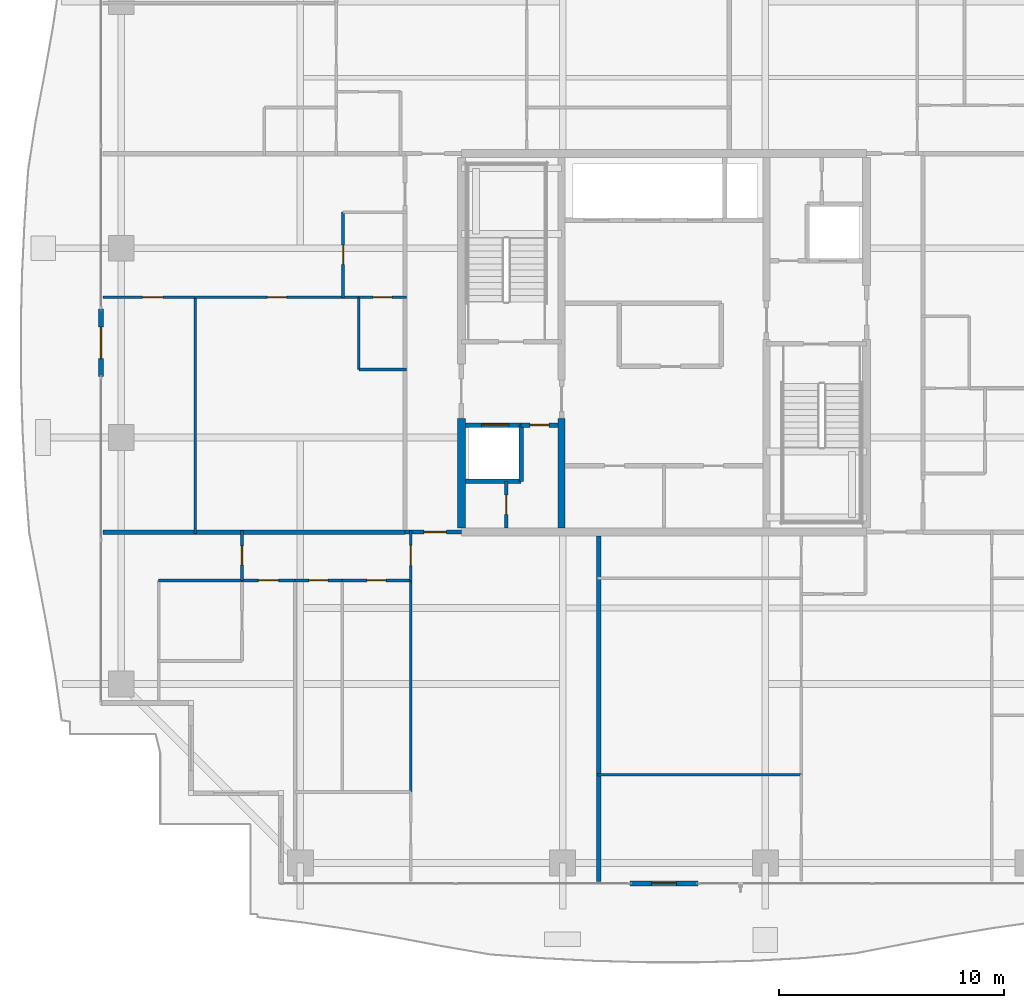
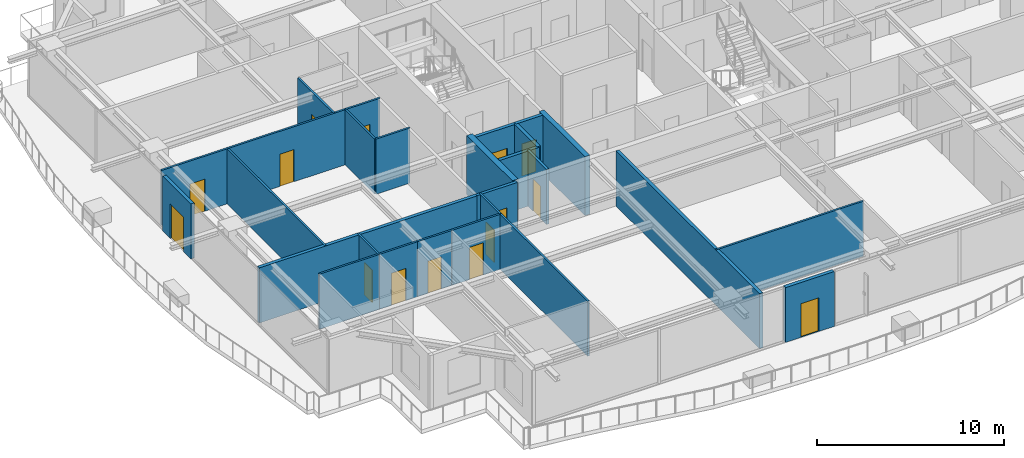
# One storey, part 24 of 37: 27 walls, 15 doors, 15 openings.
"""IFC4 building model written with IfcOpenShell, lengths in metres."""

from ifc_helpers import new_model, si_unit, direction, frame, frame_2d, origin, place, context, subcontext, project, spatial, rectangle, extrude, source, transform, mapped, material, layer, layer_set, type_object, element, fill, save


model = new_model("IFC4")

# Units and contexts
model_context = context("Model", 3, precision=1e-05, world=origin(), true_north=direction((0.0, 1.0)))
body_context = subcontext(model_context, "Body", "Model", "MODEL_VIEW")
ifc_project = project(units=[si_unit("LENGTHUNIT", "METRE"), si_unit("AREAUNIT", "SQUARE_METRE"), si_unit("VOLUMEUNIT", "CUBIC_METRE"), si_unit("PLANEANGLEUNIT", "RADIAN"), si_unit("MASSUNIT", "GRAM", prefix="KILO")], contexts=[model_context])

# Site, building, storey
site_placement = place(None, origin())
site = spatial("IfcSite", under=ifc_project, at=site_placement, CompositionType="ELEMENT")
building_placement = place(site_placement, origin())
building = spatial("IfcBuilding", under=site, at=building_placement, Name="Serunith Strait Residences", CompositionType="ELEMENT")
storey_placement = place(building_placement, frame((0.0, 0.0, 218.14990234375)))
storey = spatial("IfcBuildingStorey", under=building, at=storey_placement, Name="L54", CompositionType="ELEMENT", Elevation=218.14990234375)

# Wall, opening, door
ifc_material_1 = material(Name="Pale-Champagne Aluminium Insulated Panel", Category="aluminium")
ifc_layer_1 = layer(ifc_material_1, 0.219970703125, Name="Pale-Champagne Aluminium Insulated Panel")
ifc_layer_set_1 = layer_set([ifc_layer_1], Name="Pale-Champagne Aluminium Insulated Panel")
wall_type_1 = type_object("IfcWallType", Name="EW-ALUM-220", PredefinedType="ELEMENTEDWALL", material=ifc_layer_set_1)
wall_1_placement = place(storey_placement, frame((30.89990234375, 1.199951171875, 0.0), z_axis=(0.0, 0.0, 1.0), x_axis=(1.0, 0.0, 0.0)))
wall_1 = element("IfcWall", 1, at=wall_1_placement, inside=storey, type_object=wall_type_1, Name="L54 S Facade Pier Wall", PredefinedType="ELEMENTEDWALL", context=body_context, shape_type="SweptSolid", body=[
    extrude(rectangle(XDim=3.0, YDim=0.219970703125, at=frame_2d((1.5, 0.0))), origin(), (0.0, 0.0, 1.0), 3.5751953125),
])
opening_1_placement = place(wall_1_placement, frame((0.949951171875, 0.0, 0.0)))
opening_1 = element("IfcOpeningElement", 2, at=opening_1_placement, cuts=wall_1, Name="Opening ED-03", PredefinedType="OPENING", context=body_context, shape_type="SweptSolid", body=[
    extrude(rectangle(XDim=1.10009765625, YDim=2.199951171875, at=frame_2d((0.550048828125, 1.10009765625))), frame((0.0, 0.1201171875, 0.0), z_axis=(0.0, -1.0, 0.0), x_axis=(1.0, 0.0, 0.0)), (0.0, 0.0, 1.0), 0.239990234375),
])
ifc_material_2 = material(Name="Thermally-Broken Aluminium Glazed Balcony Door", Category="aluminium")
door_type_1 = type_object("IfcDoorType", Name="ED-BALC-1100", OperationType="NOTDEFINED", PredefinedType="DOOR", material=ifc_material_2)
shared_shape_1 = source(origin(), body_context, "Body", "SweptSolid", [
    extrude(rectangle(XDim=1.10009765625, YDim=2.199951171875, at=frame_2d((0.550048828125, 1.10009765625))), frame((0.0, 0.02490234375, 0.0), z_axis=(0.0, -1.0, 0.0), x_axis=(1.0, 0.0, 0.0)), (0.0, 0.0, 1.0), 0.050048828125),
])
door_1_placement = place(opening_1_placement, origin())
door_1 = element("IfcDoor", 3, at=door_1_placement, inside=storey, type_object=door_type_1, Name="L54 S Vertical-Forest Balcony Door", OperationType="SINGLE_SWING_LEFT", OverallHeight=2.199951171875, OverallWidth=1.10009765625, PredefinedType="DOOR", context=body_context, shape_type="MappedRepresentation", body=[
    mapped(shared_shape_1, transform((0.0, 0.0, 0.0), scale=1.0)),
])
fill(opening_1, door_1)

wall_2_placement = place(storey_placement, frame((7.39990234375, 26.699951171875, 0.0), z_axis=(0.0, 0.0, 1.0), x_axis=(0.0, -1.0, 0.0)))
wall_2 = element("IfcWall", 4, at=wall_2_placement, inside=storey, type_object=wall_type_1, Name="L54 W Facade Pier Wall", PredefinedType="ELEMENTEDWALL", context=body_context, shape_type="SweptSolid", body=[
    extrude(rectangle(XDim=3.0, YDim=0.219970703125, at=frame_2d((1.5, 0.0))), origin(), (0.0, 0.0, 1.0), 3.5751953125),
])
opening_2_placement = place(wall_2_placement, frame((0.800048828125, 0.0, 0.0)))
opening_2 = element("IfcOpeningElement", 5, at=opening_2_placement, cuts=wall_2, Name="Opening ED-04", PredefinedType="OPENING", context=body_context, shape_type="SweptSolid", body=[
    extrude(rectangle(XDim=1.39990234375, YDim=2.25, at=frame_2d((0.699951171875, 1.125))), frame((0.0, 0.1201171875, 0.0), z_axis=(0.0, -1.0, 0.0), x_axis=(1.0, 0.0, 0.0)), (0.0, 0.0, 1.0), 0.239990234375),
])
ifc_material_3 = material(Name="Thermally-Broken Aluminium Sliding Balcony Door", Category="aluminium")
door_type_2 = type_object("IfcDoorType", Name="ED-BALC-1400", OperationType="NOTDEFINED", PredefinedType="DOOR", material=ifc_material_3)
shared_shape_2 = source(origin(), body_context, "Body", "SweptSolid", [
    extrude(rectangle(XDim=1.39990234375, YDim=2.25, at=frame_2d((0.699951171875, 1.125))), frame((0.0, 0.02490234375, 0.0), z_axis=(0.0, -1.0, 0.0), x_axis=(1.0, 0.0, 0.0)), (0.0, 0.0, 1.0), 0.050048828125),
])
door_2_placement = place(opening_2_placement, origin())
door_2 = element("IfcDoor", 6, at=door_2_placement, inside=storey, type_object=door_type_2, Name="L54 W Vertical-Forest Balcony Door", OperationType="SLIDING_TO_LEFT", OverallHeight=2.25, OverallWidth=1.39990234375, PredefinedType="DOOR", context=body_context, shape_type="MappedRepresentation", body=[
    mapped(shared_shape_2, transform((0.0, 0.0, 0.0), scale=1.0)),
])
fill(opening_2, door_2)

ifc_material_4 = material(Name="Fire-rated masonry service closet wall", Category="masonry")
ifc_layer_2 = layer(ifc_material_4, 0.14990234375, Name="Fire-rated masonry service closet wall")
ifc_layer_set_2 = layer_set([ifc_layer_2], Name="Fire-rated masonry service closet wall")
wall_type_2 = type_object("IfcWallType", Name="IW-BOH-150", PredefinedType="PARTITIONING", material=ifc_layer_set_2)
wall_3_placement = place(storey_placement, frame((25.39990234375, 16.97509765625, 0.0), z_axis=(0.0, 0.0, 1.0), x_axis=(0.0, 1.0, 0.0)))
wall_3 = element("IfcWall", 7, at=wall_3_placement, inside=storey, type_object=wall_type_2, Name="L54 Partition Wall 011", PredefinedType="PARTITIONING", context=body_context, shape_type="SweptSolid", body=[
    extrude(rectangle(XDim=2.074951171875, YDim=0.14990234375, at=frame_2d((1.03759765625, 0.0))), origin(), (0.0, 0.0, 1.0), 3.590087890625),
])
opening_3_placement = place(wall_3_placement, frame((0.612060546875, 0.0, 0.0)))
opening_3 = element("IfcOpeningElement", 8, at=opening_3_placement, cuts=wall_3, Name="Opening FD-850", PredefinedType="OPENING", context=body_context, shape_type="SweptSolid", body=[
    extrude(rectangle(XDim=0.85009765625, YDim=2.10009765625, at=frame_2d((0.425048828125, 1.050048828125))), frame((0.0, 0.0849609375, 0.0), z_axis=(0.0, -1.0, 0.0), x_axis=(1.0, 0.0, 0.0)), (0.0, 0.0, 1.0), 0.169921875),
])
ifc_material_5 = material(Name="Powder-coated steel service closet door", Category="steel")
door_type_3 = type_object("IfcDoorType", Name="FD-BOH-850", OperationType="NOTDEFINED", PredefinedType="DOOR", material=ifc_material_5)
shared_shape_3 = source(origin(), body_context, "Body", "SweptSolid", [
    extrude(rectangle(XDim=0.85009765625, YDim=2.10009765625, at=frame_2d((0.425048828125, 1.050048828125))), frame((0.0, 0.02490234375, 0.0), z_axis=(0.0, -1.0, 0.0), x_axis=(1.0, 0.0, 0.0)), (0.0, 0.0, 1.0), 0.050048828125),
])
door_3_placement = place(opening_3_placement, origin())
door_3 = element("IfcDoor", 9, at=door_3_placement, inside=storey, type_object=door_type_3, Name="L54 Sprinkler Plant Door", OperationType="SINGLE_SWING_RIGHT", OverallHeight=2.10009765625, OverallWidth=0.85009765625, PredefinedType="DOOR", context=body_context, shape_type="MappedRepresentation", body=[
    mapped(shared_shape_3, transform((0.0, 0.0, 0.0), scale=1.0)),
])
fill(opening_3, door_3)

ifc_material_6 = material(Name="Fire-rated acoustic gypsum partition")
ifc_layer_3 = layer(ifc_material_6, 0.179931640625, Name="Fire-rated acoustic gypsum partition")
ifc_layer_set_3 = layer_set([ifc_layer_3], Name="Fire-rated acoustic gypsum partition")
wall_type_3 = type_object("IfcWallType", Name="IW-CORR-180", PredefinedType="PARTITIONING", material=ifc_layer_set_3)
wall_4_placement = place(storey_placement, frame((20.902099609375, 16.800048828125, 0.0), z_axis=(0.0, 0.0, 1.0), x_axis=(1.0, 0.0, 0.0)))
wall_4 = element("IfcWall", 10, at=wall_4_placement, inside=storey, type_object=wall_type_3, Name="L54 Partition Wall 026", PredefinedType="PARTITIONING", context=body_context, shape_type="SweptSolid", body=[
    extrude(rectangle(XDim=2.495849609375, YDim=0.179931640625, at=frame_2d((1.248046875, 0.0))), origin(), (0.0, 0.0, 1.0), 3.590087890625),
])
opening_4_placement = place(wall_4_placement, frame((0.830078125, 0.0, 0.0)))
opening_4 = element("IfcOpeningElement", 11, at=opening_4_placement, cuts=wall_4, Name="Opening D-APT1000", PredefinedType="OPENING", context=body_context, shape_type="SweptSolid", body=[
    extrude(rectangle(XDim=1.0, YDim=2.14990234375, at=frame_2d((0.5, 1.074951171875))), frame((0.0, 0.10009765625, 0.0), z_axis=(0.0, -1.0, 0.0), x_axis=(1.0, 0.0, 0.0)), (0.0, 0.0, 1.0), 0.199951171875),
])
ifc_material_7 = material(Name="Solid timber engineered fire door", Category="wood")
door_type_4 = type_object("IfcDoorType", Name="ID-APT-1000", OperationType="NOTDEFINED", PredefinedType="DOOR", material=ifc_material_7)
shared_shape_4 = source(origin(), body_context, "Body", "SweptSolid", [
    extrude(rectangle(XDim=1.0, YDim=2.14990234375, at=frame_2d((0.5, 1.074951171875))), frame((0.0, 0.02490234375, 0.0), z_axis=(0.0, -1.0, 0.0), x_axis=(1.0, 0.0, 0.0)), (0.0, 0.0, 1.0), 0.050048828125),
])
door_4_placement = place(opening_4_placement, origin())
door_4 = element("IfcDoor", 12, at=door_4_placement, inside=storey, type_object=door_type_4, Name="L54 Unit 01 Entrance Door", OperationType="SINGLE_SWING_LEFT", OverallHeight=2.14990234375, OverallWidth=1.0, PredefinedType="DOOR", context=body_context, shape_type="MappedRepresentation", body=[
    mapped(shared_shape_4, transform((0.0, 0.0, 0.0), scale=1.0)),
])
fill(opening_4, door_4)

ifc_material_8 = material(Name="Lightweight steel-stud gypsum partition", Category="steel")
ifc_layer_4 = layer(ifc_material_8, 0.1201171875, Name="Lightweight steel-stud gypsum partition")
ifc_layer_set_4 = layer_set([ifc_layer_4], Name="Lightweight steel-stud gypsum partition")
wall_type_4 = type_object("IfcWallType", Name="IW-PART-120", PredefinedType="PARTITIONING", material=ifc_layer_set_4)
wall_5_placement = place(storey_placement, frame((21.159912109375, 14.64990234375, 0.0), z_axis=(0.0, 0.0, 1.0), x_axis=(0.0, 1.0, 0.0)))
wall_5 = element("IfcWall", 13, at=wall_5_placement, inside=storey, type_object=wall_type_4, Name="L54 Partition Wall 032", PredefinedType="PARTITIONING", context=body_context, shape_type="SweptSolid", body=[
    extrude(rectangle(XDim=2.210205078125, YDim=0.1201171875, at=frame_2d((1.10498046875, 0.0))), origin(), (0.0, 0.0, 1.0), 3.590087890625),
])
opening_5_placement = place(wall_5_placement, frame((0.655029296875, 0.0, 0.0)))
opening_5 = element("IfcOpeningElement", 14, at=opening_5_placement, cuts=wall_5, Name="Opening D-RM900", PredefinedType="OPENING", context=body_context, shape_type="SweptSolid", body=[
    extrude(rectangle(XDim=0.89990234375, YDim=2.10009765625, at=frame_2d((0.449951171875, 1.050048828125))), frame((0.0, 0.070068359375, 0.0), z_axis=(0.0, -1.0, 0.0), x_axis=(1.0, 0.0, 0.0)), (0.0, 0.0, 1.0), 0.14013671875),
])
ifc_material_9 = material(Name="Engineered timber flush bedroom door", Category="wood")
door_type_5 = type_object("IfcDoorType", Name="ID-ROOM-900", OperationType="NOTDEFINED", PredefinedType="DOOR", material=ifc_material_9)
shared_shape_5 = source(origin(), body_context, "Body", "SweptSolid", [
    extrude(rectangle(XDim=0.89990234375, YDim=2.10009765625, at=frame_2d((0.449951171875, 1.050048828125))), frame((0.0, 0.02490234375, 0.0), z_axis=(0.0, -1.0, 0.0), x_axis=(1.0, 0.0, 0.0)), (0.0, 0.0, 1.0), 0.050048828125),
])
door_5_placement = place(opening_5_placement, origin())
door_5 = element("IfcDoor", 15, at=door_5_placement, inside=storey, type_object=door_type_5, Name="L54 Hall W 5401 Door", OperationType="SINGLE_SWING_LEFT", OverallHeight=2.10009765625, OverallWidth=0.89990234375, PredefinedType="DOOR", context=body_context, shape_type="MappedRepresentation", body=[
    mapped(shared_shape_5, transform((0.0, 0.0, 0.0), scale=1.0)),
])
fill(opening_5, door_5)

# Wall
wall_6_placement = place(storey_placement, frame((21.159912109375, 5.2529296875, 0.0), z_axis=(0.0, 0.0, 1.0), x_axis=(0.0, 1.0, 0.0)))
element("IfcWall", 16, at=wall_6_placement, inside=storey, type_object=wall_type_4, Name="L54 Partition Wall 034", PredefinedType="PARTITIONING", context=body_context, shape_type="SweptSolid", body=[
    extrude(rectangle(XDim=9.39501953125, YDim=0.1201171875, at=frame_2d((4.697509765625, 0.0))), origin(), (0.0, 0.0, 1.0), 3.590087890625),
])

# Wall, opening, door
wall_7_placement = place(storey_placement, frame((16.010009765625, 14.64990234375, 0.0), z_axis=(0.0, 0.0, 1.0), x_axis=(1.0, 0.0, 0.0)))
wall_7 = element("IfcWall", 17, at=wall_7_placement, inside=storey, type_object=wall_type_4, Name="L54 Partition Wall 038", PredefinedType="PARTITIONING", context=body_context, shape_type="SweptSolid", body=[
    extrude(rectangle(XDim=2.10009765625, YDim=0.1201171875, at=frame_2d((1.050048828125, 0.0))), origin(), (0.0, 0.0, 1.0), 3.590087890625),
])
opening_6_placement = place(wall_7_placement, frame((0.625, 0.0, 0.0)))
opening_6 = element("IfcOpeningElement", 18, at=opening_6_placement, cuts=wall_7, Name="Opening D-BTH850", PredefinedType="OPENING", context=body_context, shape_type="SweptSolid", body=[
    extrude(rectangle(XDim=0.85009765625, YDim=2.10009765625, at=frame_2d((0.425048828125, 1.050048828125))), frame((0.0, 0.070068359375, 0.0), z_axis=(0.0, -1.0, 0.0), x_axis=(1.0, 0.0, 0.0)), (0.0, 0.0, 1.0), 0.14013671875),
])
ifc_material_10 = material(Name="Moisture-resistant timber bathroom door", Category="wood")
door_type_6 = type_object("IfcDoorType", Name="ID-BATH-850", OperationType="NOTDEFINED", PredefinedType="DOOR", material=ifc_material_10)
door_6_placement = place(opening_6_placement, origin())
door_6 = element("IfcDoor", 19, at=door_6_placement, inside=storey, type_object=door_type_6, Name="L54 Bathroom 5401 Door", OperationType="SINGLE_SWING_LEFT", OverallHeight=2.10009765625, OverallWidth=0.85009765625, PredefinedType="DOOR", context=body_context, shape_type="MappedRepresentation", body=[
    mapped(shared_shape_3, transform((0.0, 0.0, 0.0), scale=1.0)),
])
fill(opening_6, door_6)

wall_8_placement = place(storey_placement, frame((18.112060546875, 14.64990234375, 0.0), z_axis=(0.0, 0.0, 1.0), x_axis=(1.0, 0.0, 0.0)))
wall_8 = element("IfcWall", 20, at=wall_8_placement, inside=storey, type_object=wall_type_4, Name="L54 Partition Wall 039", PredefinedType="PARTITIONING", context=body_context, shape_type="SweptSolid", body=[
    extrude(rectangle(XDim=3.0478515625, YDim=0.1201171875, at=frame_2d((1.52392578125, 0.0))), origin(), (0.0, 0.0, 1.0), 3.590087890625),
])
opening_7_placement = place(wall_8_placement, frame((1.09912109375, 0.0, 0.0)))
opening_7 = element("IfcOpeningElement", 21, at=opening_7_placement, cuts=wall_8, Name="Opening D-RM850", PredefinedType="OPENING", context=body_context, shape_type="SweptSolid", body=[
    extrude(rectangle(XDim=0.85009765625, YDim=2.10009765625, at=frame_2d((0.425048828125, 1.050048828125))), frame((0.0, 0.070068359375, 0.0), z_axis=(0.0, -1.0, 0.0), x_axis=(1.0, 0.0, 0.0)), (0.0, 0.0, 1.0), 0.14013671875),
])
ifc_material_11 = material(Name="Engineered timber flush study and kitchen door", Category="wood")
door_type_7 = type_object("IfcDoorType", Name="ID-ROOM-850", OperationType="NOTDEFINED", PredefinedType="DOOR", material=ifc_material_11)
door_7_placement = place(opening_7_placement, origin())
door_7 = element("IfcDoor", 22, at=door_7_placement, inside=storey, type_object=door_type_7, Name="L54 Kitchen 5401 Door", OperationType="SINGLE_SWING_RIGHT", OverallHeight=2.10009765625, OverallWidth=0.85009765625, PredefinedType="DOOR", context=body_context, shape_type="MappedRepresentation", body=[
    mapped(shared_shape_3, transform((0.0, 0.0, 0.0), scale=1.0)),
])
fill(opening_7, door_7)

wall_9_placement = place(storey_placement, frame((13.659912109375, 14.64990234375, 0.0), z_axis=(0.0, 0.0, 1.0), x_axis=(1.0, 0.0, 0.0)))
wall_9 = element("IfcWall", 23, at=wall_9_placement, inside=storey, type_object=wall_type_4, Name="L54 Partition Wall 040", PredefinedType="PARTITIONING", context=body_context, shape_type="SweptSolid", body=[
    extrude(rectangle(XDim=2.34814453125, YDim=0.1201171875, at=frame_2d((1.174072265625, 0.0))), origin(), (0.0, 0.0, 1.0), 3.590087890625),
])
opening_8_placement = place(wall_9_placement, frame((0.72412109375, 0.0, 0.0)))
opening_8 = element("IfcOpeningElement", 24, at=opening_8_placement, cuts=wall_9, Name="Opening D-RM900", PredefinedType="OPENING", context=body_context, shape_type="SweptSolid", body=[
    extrude(rectangle(XDim=0.89990234375, YDim=2.10009765625, at=frame_2d((0.449951171875, 1.050048828125))), frame((0.0, 0.070068359375, 0.0), z_axis=(0.0, -1.0, 0.0), x_axis=(1.0, 0.0, 0.0)), (0.0, 0.0, 1.0), 0.14013671875),
])
door_8_placement = place(opening_8_placement, origin())
door_8 = element("IfcDoor", 25, at=door_8_placement, inside=storey, type_object=door_type_5, Name="L54 Master Bedroom W 5401 Door", OperationType="SINGLE_SWING_LEFT", OverallHeight=2.10009765625, OverallWidth=0.89990234375, PredefinedType="DOOR", context=body_context, shape_type="MappedRepresentation", body=[
    mapped(shared_shape_5, transform((0.0, 0.0, 0.0), scale=1.0)),
])
fill(opening_8, door_8)

# Wall
wall_10_placement = place(storey_placement, frame((9.9599609375, 14.64990234375, 0.0), z_axis=(0.0, 0.0, 1.0), x_axis=(1.0, 0.0, 0.0)))
element("IfcWall", 26, at=wall_10_placement, inside=storey, type_object=wall_type_4, Name="L54 Partition Wall 043", PredefinedType="PARTITIONING", context=body_context, shape_type="SweptSolid", body=[
    extrude(rectangle(XDim=3.697998046875, YDim=0.1201171875, at=frame_2d((1.84912109375, 0.0))), origin(), (0.0, 0.0, 1.0), 3.590087890625),
])

# Wall, opening, door
wall_11_placement = place(storey_placement, frame((13.659912109375, 14.652099609375, 0.0), z_axis=(0.0, 0.0, 1.0), x_axis=(0.0, 1.0, 0.0)))
wall_11 = element("IfcWall", 27, at=wall_11_placement, inside=storey, type_object=wall_type_4, Name="L54 Partition Wall 045", PredefinedType="PARTITIONING", context=body_context, shape_type="SweptSolid", body=[
    extrude(rectangle(XDim=2.2080078125, YDim=0.1201171875, at=frame_2d((1.10400390625, 0.0))), origin(), (0.0, 0.0, 1.0), 3.590087890625),
])
opening_9_placement = place(wall_11_placement, frame((0.678955078125, 0.0, 0.0)))
opening_9 = element("IfcOpeningElement", 28, at=opening_9_placement, cuts=wall_11, Name="Opening D-RM850", PredefinedType="OPENING", context=body_context, shape_type="SweptSolid", body=[
    extrude(rectangle(XDim=0.85009765625, YDim=2.10009765625, at=frame_2d((0.425048828125, 1.050048828125))), frame((0.0, 0.070068359375, 0.0), z_axis=(0.0, -1.0, 0.0), x_axis=(1.0, 0.0, 0.0)), (0.0, 0.0, 1.0), 0.14013671875),
])
door_9_placement = place(opening_9_placement, origin())
door_9 = element("IfcDoor", 29, at=door_9_placement, inside=storey, type_object=door_type_7, Name="L54 Wardrobe W 5401 Door", OperationType="SINGLE_SWING_LEFT", OverallHeight=2.10009765625, OverallWidth=0.85009765625, PredefinedType="DOOR", context=body_context, shape_type="MappedRepresentation", body=[
    mapped(shared_shape_3, transform((0.0, 0.0, 0.0), scale=1.0)),
])
fill(opening_9, door_9)

# Wall
wall_12_placement = place(storey_placement, frame((29.43994140625, 6.02197265625, 0.0), z_axis=(0.0, 0.0, 1.0), x_axis=(1.0, 0.0, 0.0)))
element("IfcWall", 30, at=wall_12_placement, inside=storey, type_object=wall_type_4, Name="L54 Partition Wall 049", PredefinedType="PARTITIONING", context=body_context, shape_type="SweptSolid", body=[
    extrude(rectangle(XDim=9.06005859375, YDim=0.1201171875, at=frame_2d((4.530029296875, 0.0))), origin(), (0.0, 0.0, 1.0), 3.590087890625),
])

# Wall, opening, door
wall_13_placement = place(storey_placement, frame((18.14990234375, 27.219970703125, 0.0), z_axis=(0.0, 0.0, 1.0), x_axis=(0.0, 1.0, 0.0)))
wall_13 = element("IfcWall", 31, at=wall_13_placement, inside=storey, type_object=wall_type_4, Name="L54 Partition Wall 086", PredefinedType="PARTITIONING", context=body_context, shape_type="SweptSolid", body=[
    extrude(rectangle(XDim=3.780029296875, YDim=0.1201171875, at=frame_2d((1.89013671875, 0.0))), origin(), (0.0, 0.0, 1.0), 3.590087890625),
])
opening_10_placement = place(wall_13_placement, frame((1.465087890625, 0.0, 0.0)))
opening_10 = element("IfcOpeningElement", 32, at=opening_10_placement, cuts=wall_13, Name="Opening D-RM850", PredefinedType="OPENING", context=body_context, shape_type="SweptSolid", body=[
    extrude(rectangle(XDim=0.85009765625, YDim=2.10009765625, at=frame_2d((0.425048828125, 1.050048828125))), frame((0.0, 0.070068359375, 0.0), z_axis=(0.0, -1.0, 0.0), x_axis=(1.0, 0.0, 0.0)), (0.0, 0.0, 1.0), 0.14013671875),
])
door_10_placement = place(opening_10_placement, origin())
door_10 = element("IfcDoor", 33, at=door_10_placement, inside=storey, type_object=door_type_7, Name="L54 Kitchen 5405 Door", OperationType="SINGLE_SWING_LEFT", OverallHeight=2.10009765625, OverallWidth=0.85009765625, PredefinedType="DOOR", context=body_context, shape_type="MappedRepresentation", body=[
    mapped(shared_shape_3, transform((0.0, 0.0, 0.0), scale=1.0)),
])
fill(opening_10, door_10)

wall_14_placement = place(storey_placement, frame((7.4951171875, 27.219970703125, 0.0), z_axis=(0.0, 0.0, 1.0), x_axis=(1.0, 0.0, 0.0)))
wall_14 = element("IfcWall", 34, at=wall_14_placement, inside=storey, type_object=wall_type_4, Name="L54 Partition Wall 088", PredefinedType="PARTITIONING", context=body_context, shape_type="SweptSolid", body=[
    extrude(rectangle(XDim=4.0888671875, YDim=0.1201171875, at=frame_2d((2.04443359375, 0.0))), origin(), (0.0, 0.0, 1.0), 3.590087890625),
])
opening_11_placement = place(wall_14_placement, frame((1.75390625, 0.0, 0.0)))
opening_11 = element("IfcOpeningElement", 35, at=opening_11_placement, cuts=wall_14, Name="Opening D-RM900", PredefinedType="OPENING", context=body_context, shape_type="SweptSolid", body=[
    extrude(rectangle(XDim=0.89990234375, YDim=2.10009765625, at=frame_2d((0.449951171875, 1.050048828125))), frame((0.0, 0.070068359375, 0.0), z_axis=(0.0, -1.0, 0.0), x_axis=(1.0, 0.0, 0.0)), (0.0, 0.0, 1.0), 0.14013671875),
])
door_11_placement = place(opening_11_placement, origin())
door_11 = element("IfcDoor", 36, at=door_11_placement, inside=storey, type_object=door_type_5, Name="L54 Master Bedroom 1 5405 Door", OperationType="SINGLE_SWING_RIGHT", OverallHeight=2.10009765625, OverallWidth=0.89990234375, PredefinedType="DOOR", context=body_context, shape_type="MappedRepresentation", body=[
    mapped(shared_shape_5, transform((0.0, 0.0, 0.0), scale=1.0)),
])
fill(opening_11, door_11)

# Walls
wall_15_placement = place(storey_placement, frame((11.583984375, 16.739990234375, 0.0), z_axis=(0.0, 0.0, 1.0), x_axis=(0.0, 1.0, 0.0)))
element("IfcWall", 37, at=wall_15_placement, inside=storey, type_object=wall_type_4, Name="L54 Partition Wall 089", PredefinedType="PARTITIONING", context=body_context, shape_type="SweptSolid", body=[
    extrude(rectangle(XDim=10.47998046875, YDim=0.1201171875, at=frame_2d((5.239990234375, 0.0))), origin(), (0.0, 0.0, 1.0), 3.590087890625),
])
wall_16_placement = place(storey_placement, frame((18.85009765625, 24.02001953125, 0.0), z_axis=(0.0, 0.0, 1.0), x_axis=(0.0, 1.0, 0.0)))
element("IfcWall", 38, at=wall_16_placement, inside=storey, type_object=wall_type_4, Name="L54 Partition Wall 090", PredefinedType="PARTITIONING", context=body_context, shape_type="SweptSolid", body=[
    extrude(rectangle(XDim=3.199951171875, YDim=0.1201171875, at=frame_2d((1.60009765625, 0.0))), origin(), (0.0, 0.0, 1.0), 3.590087890625),
])
wall_17_placement = place(storey_placement, frame((18.85009765625, 24.02001953125, 0.0), z_axis=(0.0, 0.0, 1.0), x_axis=(1.0, 0.0, 0.0)))
element("IfcWall", 39, at=wall_17_placement, inside=storey, type_object=wall_type_4, Name="L54 Partition Wall 091", PredefinedType="PARTITIONING", context=body_context, shape_type="SweptSolid", body=[
    extrude(rectangle(XDim=2.10986328125, YDim=0.1201171875, at=frame_2d((1.054931640625, 0.0))), origin(), (0.0, 0.0, 1.0), 3.590087890625),
])

# Wall, opening, door
wall_18_placement = place(storey_placement, frame((11.5859375, 27.219970703125, 0.0), z_axis=(0.0, 0.0, 1.0), x_axis=(1.0, 0.0, 0.0)))
wall_18 = element("IfcWall", 40, at=wall_18_placement, inside=storey, type_object=wall_type_4, Name="L54 Partition Wall 092", PredefinedType="PARTITIONING", context=body_context, shape_type="SweptSolid", body=[
    extrude(rectangle(XDim=7.26416015625, YDim=0.1201171875, at=frame_2d((3.632080078125, 0.0))), origin(), (0.0, 0.0, 1.0), 3.590087890625),
])
opening_12_placement = place(wall_18_placement, frame((3.20703125, 0.0, 0.0)))
opening_12 = element("IfcOpeningElement", 41, at=opening_12_placement, cuts=wall_18, Name="Opening D-RM850", PredefinedType="OPENING", context=body_context, shape_type="SweptSolid", body=[
    extrude(rectangle(XDim=0.85009765625, YDim=2.10009765625, at=frame_2d((0.425048828125, 1.050048828125))), frame((0.0, 0.070068359375, 0.0), z_axis=(0.0, -1.0, 0.0), x_axis=(1.0, 0.0, 0.0)), (0.0, 0.0, 1.0), 0.14013671875),
])
door_12_placement = place(opening_12_placement, origin())
door_12 = element("IfcDoor", 42, at=door_12_placement, inside=storey, type_object=door_type_7, Name="L54 Walk-in Wardrobe 5405 Door", OperationType="SINGLE_SWING_LEFT", OverallHeight=2.10009765625, OverallWidth=0.85009765625, PredefinedType="DOOR", context=body_context, shape_type="MappedRepresentation", body=[
    mapped(shared_shape_3, transform((0.0, 0.0, 0.0), scale=1.0)),
])
fill(opening_12, door_12)

wall_19_placement = place(storey_placement, frame((18.85205078125, 27.219970703125, 0.0), z_axis=(0.0, 0.0, 1.0), x_axis=(1.0, 0.0, 0.0)))
wall_19 = element("IfcWall", 43, at=wall_19_placement, inside=storey, type_object=wall_type_4, Name="L54 Partition Wall 093", PredefinedType="PARTITIONING", context=body_context, shape_type="SweptSolid", body=[
    extrude(rectangle(XDim=2.10791015625, YDim=0.1201171875, at=frame_2d((1.053955078125, 0.0))), origin(), (0.0, 0.0, 1.0), 3.590087890625),
])
opening_13_placement = place(wall_19_placement, frame((0.62890625, 0.0, 0.0)))
opening_13 = element("IfcOpeningElement", 44, at=opening_13_placement, cuts=wall_19, Name="Opening D-BTH850", PredefinedType="OPENING", context=body_context, shape_type="SweptSolid", body=[
    extrude(rectangle(XDim=0.85009765625, YDim=2.10009765625, at=frame_2d((0.425048828125, 1.050048828125))), frame((0.0, 0.070068359375, 0.0), z_axis=(0.0, -1.0, 0.0), x_axis=(1.0, 0.0, 0.0)), (0.0, 0.0, 1.0), 0.14013671875),
])
door_13_placement = place(opening_13_placement, origin())
door_13 = element("IfcDoor", 45, at=door_13_placement, inside=storey, type_object=door_type_6, Name="L54 Bathroom 5405 Door", OperationType="SINGLE_SWING_RIGHT", OverallHeight=2.10009765625, OverallWidth=0.85009765625, PredefinedType="DOOR", context=body_context, shape_type="MappedRepresentation", body=[
    mapped(shared_shape_3, transform((0.0, 0.0, 0.0), scale=1.0)),
])
fill(opening_13, door_13)

# Walls
ifc_material_12 = material(Name="Twin-stud acoustic gypsum board partition")
ifc_layer_5 = layer(ifc_material_12, 0.199951171875, Name="Twin-stud acoustic gypsum board partition")
ifc_layer_set_5 = layer_set([ifc_layer_5], Name="Twin-stud acoustic gypsum board partition")
wall_type_5 = type_object("IfcWallType", Name="IW-PARTY-200", PredefinedType="PARTITIONING", material=ifc_layer_set_5)
wall_20_placement = place(storey_placement, frame((29.5, 1.281982421875, 0.0), z_axis=(0.0, 0.0, 1.0), x_axis=(0.0, 1.0, 0.0)))
element("IfcWall", 46, at=wall_20_placement, inside=storey, type_object=wall_type_5, Name="L54 Partition Wall 020", PredefinedType="PARTITIONING", context=body_context, shape_type="SweptSolid", body=[
    extrude(rectangle(XDim=15.343017578125, YDim=0.199951171875, at=frame_2d((7.67138671875, 0.0))), origin(), (0.0, 0.0, 1.0), 3.590087890625),
])
wall_21_placement = place(storey_placement, frame((7.48193359375, 16.800048828125, 0.0), z_axis=(0.0, 0.0, 1.0), x_axis=(1.0, 0.0, 0.0)))
element("IfcWall", 47, at=wall_21_placement, inside=storey, type_object=wall_type_5, Name="L54 Partition Wall 022", PredefinedType="PARTITIONING", context=body_context, shape_type="SweptSolid", body=[
    extrude(rectangle(XDim=13.41796875, YDim=0.199951171875, at=frame_2d((6.708984375, 0.0))), origin(), (0.0, 0.0, 1.0), 3.590087890625),
])

# Wall, opening, door
ifc_material_13 = material(Name="Autoclaved aerated concrete blockwork", Category="masonry")
ifc_layer_6 = layer(ifc_material_13, 0.199951171875, Name="Autoclaved aerated concrete blockwork")
ifc_layer_set_6 = layer_set([ifc_layer_6], Name="Autoclaved aerated concrete blockwork")
wall_type_6 = type_object("IfcWallType", Name="IW-SHAFT-200", PredefinedType="STANDARD", material=ifc_layer_set_6)
wall_22_placement = place(storey_placement, frame((23.574951171875, 21.550048828125, 0.0), z_axis=(0.0, 0.0, 1.0), x_axis=(1.0, 0.0, 0.0)))
wall_22 = element("IfcWall", 48, at=wall_22_placement, inside=storey, type_object=wall_type_6, Name="L54 FL-1 North Shaft Wall", PredefinedType="STANDARD", context=body_context, shape_type="SweptSolid", body=[
    extrude(rectangle(XDim=2.47509765625, YDim=0.199951171875, at=frame_2d((1.237548828125, 0.0))), origin(), (0.0, 0.0, 1.0), 3.590087890625),
])
opening_14_placement = place(wall_22_placement, frame((0.72509765625, 0.0, 0.0)))
opening_14 = element("IfcOpeningElement", 49, at=opening_14_placement, cuts=wall_22, Name="Opening LD-FF1200", PredefinedType="OPENING", context=body_context, shape_type="SweptSolid", body=[
    extrude(rectangle(XDim=1.199951171875, YDim=2.199951171875, at=frame_2d((0.60009765625, 1.10009765625))), frame((0.0, 0.10986328125, 0.0), z_axis=(0.0, -1.0, 0.0), x_axis=(1.0, 0.0, 0.0)), (0.0, 0.0, 1.0), 0.219970703125),
])
ifc_material_14 = material(Name="Brushed stainless steel landing door", Category="steel")
door_type_8 = type_object("IfcDoorType", Name="LD-FF-1200", OperationType="DOUBLE_DOOR_SLIDING", PredefinedType="DOOR", material=ifc_material_14)
shared_shape_6 = source(origin(), body_context, "Body", "SweptSolid", [
    extrude(rectangle(XDim=1.199951171875, YDim=2.199951171875, at=frame_2d((0.60009765625, 1.10009765625))), frame((0.0, 0.02490234375, 0.0), z_axis=(0.0, -1.0, 0.0), x_axis=(1.0, 0.0, 0.0)), (0.0, 0.0, 1.0), 0.050048828125),
])
door_14_placement = place(opening_14_placement, origin())
door_14 = element("IfcDoor", 50, at=door_14_placement, inside=storey, type_object=door_type_8, Name="L54 FL-1 Landing Door", OperationType="DOUBLE_DOOR_SLIDING", OverallHeight=2.199951171875, OverallWidth=1.199951171875, PredefinedType="DOOR", context=body_context, shape_type="MappedRepresentation", body=[
    mapped(shared_shape_6, transform((0.0, 0.0, 0.0), scale=1.0)),
])
fill(opening_14, door_14)

# Walls
wall_23_placement = place(storey_placement, frame((26.050048828125, 19.050048828125, 0.0), z_axis=(0.0, 0.0, 1.0), x_axis=(0.0, 1.0, 0.0)))
element("IfcWall", 51, at=wall_23_placement, inside=storey, type_object=wall_type_6, Name="L54 Partition Wall 001", PredefinedType="STANDARD", context=body_context, shape_type="SweptSolid", body=[
    extrude(rectangle(XDim=2.5, YDim=0.199951171875, at=frame_2d((1.25, 0.0))), origin(), (0.0, 0.0, 1.0), 3.590087890625),
])
wall_24_placement = place(storey_placement, frame((23.574951171875, 19.050048828125, 0.0), z_axis=(0.0, 0.0, 1.0), x_axis=(1.0, 0.0, 0.0)))
element("IfcWall", 52, at=wall_24_placement, inside=storey, type_object=wall_type_6, Name="L54 Partition Wall 002", PredefinedType="STANDARD", context=body_context, shape_type="SweptSolid", body=[
    extrude(rectangle(XDim=2.47509765625, YDim=0.199951171875, at=frame_2d((1.237548828125, 0.0))), origin(), (0.0, 0.0, 1.0), 3.590087890625),
])

# Wall, opening, door
wall_25_placement = place(storey_placement, frame((26.052001953125, 21.550048828125, 0.0), z_axis=(0.0, 0.0, 1.0), x_axis=(1.0, 0.0, 0.0)))
wall_25 = element("IfcWall", 53, at=wall_25_placement, inside=storey, type_object=wall_type_6, Name="L54 Partition Wall 003", PredefinedType="STANDARD", context=body_context, shape_type="SweptSolid", body=[
    extrude(rectangle(XDim=1.64794921875, YDim=0.199951171875, at=frame_2d((0.823974609375, 0.0))), origin(), (0.0, 0.0, 1.0), 3.590087890625),
])
opening_15_placement = place(wall_25_placement, frame((0.39892578125, 0.0, 0.0)))
opening_15 = element("IfcOpeningElement", 54, at=opening_15_placement, cuts=wall_25, Name="Opening FD-850", PredefinedType="OPENING", context=body_context, shape_type="SweptSolid", body=[
    extrude(rectangle(XDim=0.85009765625, YDim=2.10009765625, at=frame_2d((0.425048828125, 1.050048828125))), frame((0.0, 0.10986328125, 0.0), z_axis=(0.0, -1.0, 0.0), x_axis=(1.0, 0.0, 0.0)), (0.0, 0.0, 1.0), 0.219970703125),
])
door_15_placement = place(opening_15_placement, origin())
door_15 = element("IfcDoor", 55, at=door_15_placement, inside=storey, type_object=door_type_3, Name="L54 South-West Core Service Door", OperationType="SINGLE_SWING_RIGHT", OverallHeight=2.10009765625, OverallWidth=0.85009765625, PredefinedType="DOOR", context=body_context, shape_type="MappedRepresentation", body=[
    mapped(shared_shape_3, transform((0.0, 0.0, 0.0), scale=1.0)),
])
fill(opening_15, door_15)

# Walls
ifc_material_15 = material(Name="Concrete C60/75", Category="concrete")
ifc_layer_7 = layer(ifc_material_15, 0.300048828125, Name="Concrete C60/75")
ifc_layer_set_7 = layer_set([ifc_layer_7], Name="Concrete C60/75")
wall_type_7 = type_object("IfcWallType", Name="SW-300-C60", PredefinedType="SHEAR", material=ifc_layer_set_7)
wall_26_placement = place(storey_placement, frame((27.85009765625, 16.97509765625, -0.260009765625), z_axis=(0.0, 0.0, 1.0), x_axis=(0.0, 1.0, 0.0)))
element("IfcWall", 56, at=wall_26_placement, inside=storey, type_object=wall_type_7, Name="L54 Core Internal West Web South Pier", PredefinedType="SHEAR", context=body_context, shape_type="SweptSolid", body=[
    extrude(rectangle(XDim=4.875, YDim=0.300048828125, at=frame_2d((2.4375, 0.0))), origin(), (0.0, 0.0, 1.0), 3.84814453125),
])
ifc_layer_8 = layer(ifc_material_15, 0.35009765625, Name="Concrete C60/75")
ifc_layer_set_8 = layer_set([ifc_layer_8], Name="Concrete C60/75")
wall_type_8 = type_object("IfcWallType", Name="SW-350-C60", PredefinedType="SHEAR", material=ifc_layer_set_8)
wall_27_placement = place(storey_placement, frame((23.39990234375, 16.97509765625, -0.260009765625), z_axis=(0.0, 0.0, 1.0), x_axis=(0.0, 1.0, 0.0)))
element("IfcWall", 57, at=wall_27_placement, inside=storey, type_object=wall_type_8, Name="L54 Core West Shear Wall South Pier", PredefinedType="SHEAR", context=body_context, shape_type="SweptSolid", body=[
    extrude(rectangle(XDim=4.875, YDim=0.35009765625, at=frame_2d((2.4375, 0.0))), origin(), (0.0, 0.0, 1.0), 3.84814453125),
])

save(model, "model.ifc")
